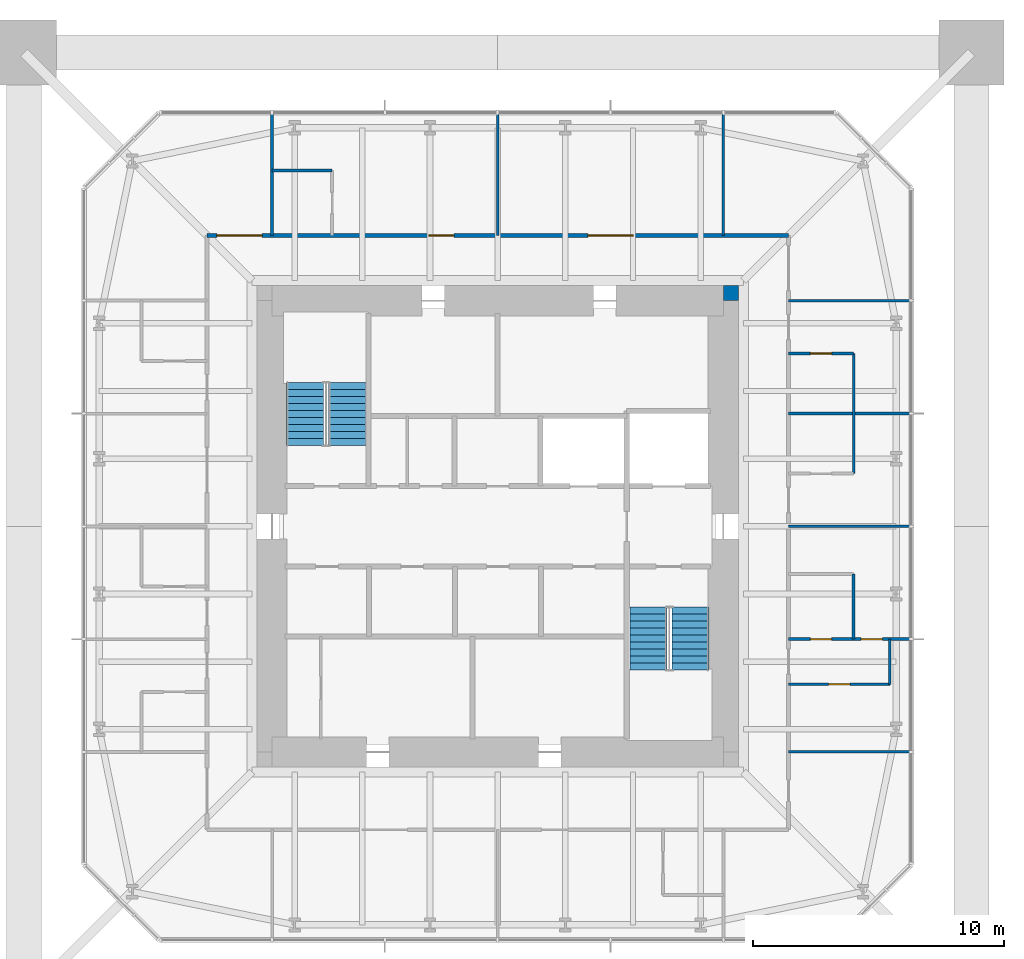
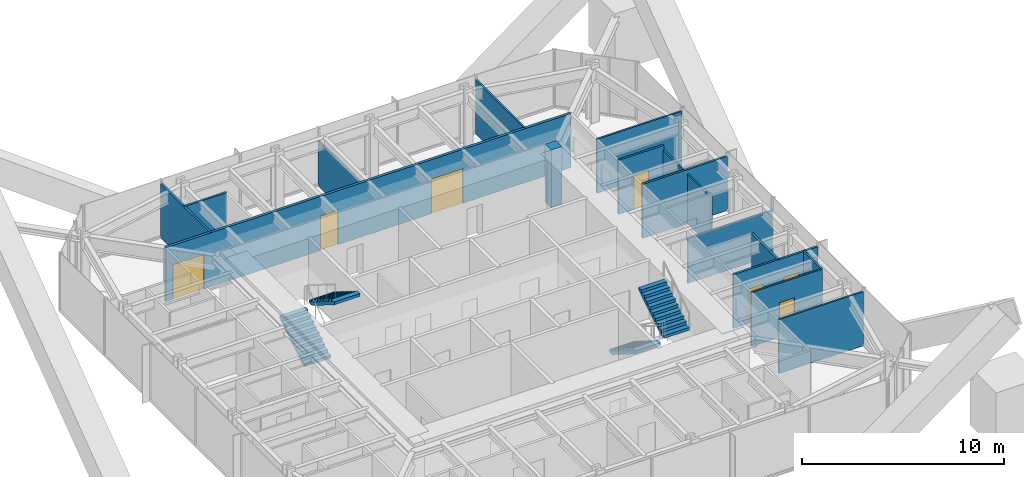
# One storey, part 9 of 10: 16 walls, 7 doors, 4 stair flights, 7 openings, 2 elements without a shape of their own.
"""IFC4 building model written with IfcOpenShell, lengths in metres."""

import ifcopenshell
import ifcopenshell.guid

model = None  # the IFC model being written
_history = None  # IfcOwnerHistory: only IFC2X3 demands one
_inside = {}  # id of a spatial element -> (the spatial element, [elements in it])
_under = {}  # id of a project, library or spatial element -> (it, [spatial elements below it])
_declared = {}  # id of a project -> (the project, [libraries it declares])
_typed = {}  # id of a type object -> (the type object, [elements of that type])
_made_of = {}  # id of a material, layer set ... -> (it, [elements and type objects made of it])


def new_model(schema):
    """Start an empty IFC model of exactly this schema.

    Asked for "IFC4X3", IfcOpenShell would pick the latest addendum, in which some entities
    have other attributes; the version numbers below select the first issue.
    IFC2X3 requires an IfcOwnerHistory on every rooted entity: one is made here for all.
    """
    global model, _history
    if schema == "IFC4X3":
        model = ifcopenshell.file(schema_version=(4, 3, 0, 0))
    else:
        model = ifcopenshell.file(schema=schema)
    _inside.clear()
    _under.clear()
    _declared.clear()
    _typed.clear()
    _made_of.clear()
    _history = None
    if model.schema == "IFC2X3":
        org = make("IfcOrganization", Name="unknown")
        user = make(
            "IfcPersonAndOrganization",
            ThePerson=make("IfcPerson", FamilyName="unknown"),
            TheOrganization=org,
        )
        app = make(
            "IfcApplication",
            ApplicationDeveloper=org,
            Version="unknown",
            ApplicationFullName="unknown",
            ApplicationIdentifier="unknown",
        )
        _history = make(
            "IfcOwnerHistory",
            OwningUser=user,
            OwningApplication=app,
            ChangeAction="ADDED",
            CreationDate=0,
        )
    return model


def make(cls, **values):
    """One entity of the class cls with the attributes given. An attribute that is None is left unset."""
    return model.create_entity(
        cls, **{name: value for name, value in values.items() if value is not None}
    )


def rooted(cls, **values):
    """An entity with a GlobalId (a new one), such as an element, a storey or a relation."""
    return make(cls, GlobalId=ifcopenshell.guid.new(), OwnerHistory=_history, **values)


def si_unit(unit_type, name, prefix=None):
    """IfcSIUnit, for example si_unit("LENGTHUNIT", "METRE", prefix="MILLI")."""
    return make("IfcSIUnit", UnitType=unit_type, Prefix=prefix, Name=name)


def assignment(units):
    """IfcUnitAssignment: the units of a project."""
    return None if units is None else make("IfcUnitAssignment", Units=units)


def point(xyz):
    """IfcCartesianPoint."""
    return None if xyz is None else make("IfcCartesianPoint", Coordinates=xyz)


def direction(xyz):
    """IfcDirection."""
    return None if xyz is None else make("IfcDirection", DirectionRatios=xyz)


def frame(location, z_axis=None, x_axis=None):
    """IfcAxis2Placement3D, a coordinate frame: its origin and axes. An axis left out is left unset."""
    return make(
        "IfcAxis2Placement3D",
        Location=point(location),
        Axis=direction(z_axis),
        RefDirection=direction(x_axis),
    )


def frame_2d(location, x_axis=None):
    """IfcAxis2Placement2D, a coordinate frame in the plane: its origin and x axis."""
    return make(
        "IfcAxis2Placement2D", Location=point(location), RefDirection=direction(x_axis)
    )


def origin():
    """The frame at (0, 0, 0) with its axes left unset."""
    return frame((0.0, 0.0, 0.0))


def place(relative_to, where):
    """IfcLocalPlacement: puts the frame where relative to a parent placement (None: the world)."""
    return make(
        "IfcLocalPlacement", PlacementRelTo=relative_to, RelativePlacement=where
    )


def context(
    kind, dimensions, precision=None, world=None, true_north=None, identifier=None
):
    """IfcGeometricRepresentationContext, for example the 3D "Model" context."""
    return make(
        "IfcGeometricRepresentationContext",
        ContextIdentifier=identifier,
        ContextType=kind,
        CoordinateSpaceDimension=dimensions,
        Precision=precision,
        WorldCoordinateSystem=world,
        TrueNorth=true_north,
    )


def subcontext(parent, identifier, kind, view, scale=None):
    """IfcGeometricRepresentationSubContext, for example "Body" below "Model"."""
    return make(
        "IfcGeometricRepresentationSubContext",
        ContextIdentifier=identifier,
        ContextType=kind,
        ParentContext=parent,
        TargetScale=scale,
        TargetView=view,
    )


def project(units=None, contexts=None):
    """IfcProject with its units and contexts."""
    return rooted(
        "IfcProject",
        Name="project",
        RepresentationContexts=contexts,
        UnitsInContext=assignment(units),
    )


def spatial(cls, under=None, at=None, **own):
    """A site, building, storey or space (cls), placed at a placement, below another one or the project."""
    s = rooted(cls, ObjectPlacement=at, **own)
    if under is not None:
        _under.setdefault(under.id(), (under, []))[1].append(s)
    return s


def polyline(points):
    """IfcPolyline through the points."""
    return make("IfcPolyline", Points=[point(p) for p in points])


def profile(cls, at=None, kind="AREA", **sizes):
    """A parametric profile (cls). Its sizes go by their IFC names, for example OverallWidth=200.0."""
    return make(cls, ProfileType=kind, Position=at, **sizes)


def rectangle(**sizes):
    """IfcRectangleProfileDef."""
    return profile("IfcRectangleProfileDef", **sizes)


def outline(outer, holes=None, kind="AREA"):
    """IfcArbitraryClosedProfileDef: a profile drawn as a closed curve; with holes, ...WithVoids."""
    if holes is None:
        return make("IfcArbitraryClosedProfileDef", ProfileType=kind, OuterCurve=outer)
    return make(
        "IfcArbitraryProfileDefWithVoids",
        ProfileType=kind,
        OuterCurve=outer,
        InnerCurves=holes,
    )


def extrude(swept, where, along, depth):
    """IfcExtrudedAreaSolid: the profile swept, set in the frame where, extruded along a direction by depth."""
    return make(
        "IfcExtrudedAreaSolid",
        SweptArea=swept,
        Position=where,
        ExtrudedDirection=direction(along),
        Depth=depth,
    )


def shape(context_of_items, identifier, shape_type, items):
    """IfcShapeRepresentation: the items that make up one representation, for example the "Body"."""
    return make(
        "IfcShapeRepresentation",
        ContextOfItems=context_of_items,
        RepresentationIdentifier=identifier,
        RepresentationType=shape_type,
        Items=items,
    )


def material(Name=None, Category=None):
    """IfcMaterial."""
    return make("IfcMaterial", Name=Name, Category=Category)


def layer(
    of_material, thickness, ventilated=None, Name=None, Category=None, Priority=None
):
    """IfcMaterialLayer: one layer of a wall or slab, of a material (None: an air gap)."""
    return make(
        "IfcMaterialLayer",
        Material=of_material,
        LayerThickness=thickness,
        IsVentilated=ventilated,
        Name=Name,
        Category=Category,
        Priority=Priority,
    )


def layer_set(layers, Name=None):
    """IfcMaterialLayerSet."""
    return make("IfcMaterialLayerSet", MaterialLayers=layers, LayerSetName=Name)


def constituent(of_material, Name=None, Category=None, fraction=None):
    """IfcMaterialConstituent: one of the materials an element consists of."""
    return make(
        "IfcMaterialConstituent",
        Name=Name,
        Material=of_material,
        Fraction=fraction,
        Category=Category,
    )


def constituent_set(constituents=None, Name=None):
    """IfcMaterialConstituentSet."""
    return make(
        "IfcMaterialConstituentSet", Name=Name, MaterialConstituents=constituents
    )


def made_of(thing, what):
    """Note that an element or type object is made of a material, layer set ...; save() writes the relation."""
    if what is not None:
        _made_of.setdefault(what.id(), (what, []))[1].append(thing)
    return thing


def type_object(cls, material=None, **own):
    """A type object (cls), such as IfcWallType, which elements share."""
    return made_of(rooted(cls, **own), material)


def element(
    cls,
    number,
    at=None,
    inside=None,
    cuts=None,
    type_object=None,
    material=None,
    context=None,
    identifier="Body",
    shape_type=None,
    held_by="IfcProductDefinitionShape",
    body=None,
    shapes=None,
    **own,
):
    """One element of the class cls, such as IfcWall. Its Tag is "e" and its number.

    at: its placement. inside: the storey or other place that contains it. cuts: it is an
    opening in that element (IfcRelVoidsElement). A single representation is given by context,
    identifier, shape_type and body (its items); several are given by shapes. held_by: the class
    of the entity that holds the representations. save() writes the other relations.
    """
    e = rooted(cls, Tag="e%d" % number, ObjectPlacement=at, **own)
    if body is not None:
        shapes = [shape(context, identifier, shape_type, body)]
    if shapes is not None:
        e.Representation = make(held_by, Representations=shapes)
    if inside is not None:
        _inside.setdefault(inside.id(), (inside, []))[1].append(e)
    if cuts is not None:
        rooted(
            "IfcRelVoidsElement", RelatingBuildingElement=cuts, RelatedOpeningElement=e
        )
    if type_object is not None:
        _typed.setdefault(type_object.id(), (type_object, []))[1].append(e)
    return made_of(e, material)


def fill(opening, filler):
    """IfcRelFillsElement: the door or window that sits in an opening."""
    return rooted(
        "IfcRelFillsElement",
        RelatingOpeningElement=opening,
        RelatedBuildingElement=filler,
    )


def aggregate(whole, parts):
    """IfcRelAggregates: a whole, such as a stair, and the parts it consists of."""
    return rooted("IfcRelAggregates", RelatingObject=whole, RelatedObjects=parts)


def save(model, path):
    """Write the relations noted so far, then the file.

    IfcRelAggregates (storeys below a building ...), IfcRelContainedInSpatialStructure (elements
    in a storey), IfcRelDefinesByType, IfcRelAssociatesMaterial and IfcRelDeclares: one each for
    every whole, place, type object, material and project.
    """
    for whole, parts in _under.values():
        aggregate(whole, parts)
    for where, things in _inside.values():
        rooted(
            "IfcRelContainedInSpatialStructure",
            RelatedElements=things,
            RelatingStructure=where,
        )
    for kind, things in _typed.values():
        rooted("IfcRelDefinesByType", RelatedObjects=things, RelatingType=kind)
    for what, things in _made_of.values():
        rooted("IfcRelAssociatesMaterial", RelatedObjects=things, RelatingMaterial=what)
    for by, libraries in _declared.values():
        rooted("IfcRelDeclares", RelatingContext=by, RelatedDefinitions=libraries)
    model.write(path)


model = new_model("IFC4")

# Units and contexts
model_context = context("Model", 3, precision=1e-05, world=origin(), true_north=direction((0.0, 1.0)))
body_context = subcontext(model_context, "Body", "Model", "MODEL_VIEW")
ifc_project = project(units=[si_unit("LENGTHUNIT", "METRE"), si_unit("AREAUNIT", "SQUARE_METRE"), si_unit("VOLUMEUNIT", "CUBIC_METRE"), si_unit("PLANEANGLEUNIT", "RADIAN"), si_unit("MASSUNIT", "GRAM", prefix="KILO")], contexts=[model_context])

# Site, building, storey
site_placement = place(None, origin())
site = spatial("IfcSite", under=ifc_project, at=site_placement, CompositionType="ELEMENT")
building_placement = place(site_placement, origin())
building = spatial("IfcBuilding", under=site, at=building_placement, Name="Iwan Alto Co-Living Towers", CompositionType="ELEMENT")
storey_placement = place(building_placement, frame((0.0, 0.0, 260.5)))
storey = spatial("IfcBuildingStorey", under=building, at=storey_placement, Name="L71", CompositionType="ELEMENT", Elevation=260.5)

# Wall, openings, doors
ifc_material_1 = material(Name="Gypsum board")
ifc_layer_1 = layer(ifc_material_1, 0.02490234375, Name="Board", Category="Finish")
ifc_material_2 = material(Name="Steel ASTM A1003 ST33H cold-formed studs", Category="steel")
ifc_layer_2 = layer(ifc_material_2, 0.10009765625, Name="Studs", Category="Framing")
ifc_layer_3 = layer(ifc_material_1, 0.02490234375, Name="Board", Category="Finish")
ifc_layer_set_1 = layer_set([ifc_layer_1, ifc_layer_2, ifc_layer_3], Name="CORRIDOR WALL 150")
wall_type_1 = type_object("IfcWallType", Name="CORRIDOR WALL 150", PredefinedType="PARTITIONING", material=ifc_layer_set_1)
wall_1_placement = place(storey_placement, frame((-11.60009765625, 11.60009765625, 0.0), z_axis=(0.0, 0.0, 1.0), x_axis=(1.0, 0.0, 0.0)))
wall_1 = element("IfcWall", 1, at=wall_1_placement, inside=storey, type_object=wall_type_1, Name="Partition L71", PredefinedType="PARTITIONING", context=body_context, shape_type="SweptSolid", body=[
    extrude(rectangle(XDim=23.2001953125, YDim=0.14990234375, at=frame_2d((11.60009765625, 0.0))), origin(), (0.0, 0.0, 1.0), 3.27001953125),
])
opening_1_placement = place(wall_1_placement, frame((15.199951171875, 0.0, 0.0)))
opening_1 = element("IfcOpeningElement", 2, at=opening_1_placement, cuts=wall_1, Name="Opening D9", PredefinedType="OPENING", context=body_context, shape_type="SweptSolid", body=[
    extrude(rectangle(XDim=1.800048828125, YDim=2.10009765625, at=frame_2d((0.89990234375, 1.050048828125))), frame((0.0, 0.0849609375, 0.0), z_axis=(0.0, -1.0, 0.0), x_axis=(1.0, 0.0, 0.0)), (0.0, 0.0, 1.0), 0.169921875),
])
opening_2_placement = place(wall_1_placement, frame((8.85009765625, 0.0, 0.0)))
opening_2 = element("IfcOpeningElement", 3, at=opening_2_placement, cuts=wall_1, Name="Opening D3", PredefinedType="OPENING", context=body_context, shape_type="SweptSolid", body=[
    extrude(rectangle(XDim=1.0, YDim=2.10009765625, at=frame_2d((0.5, 1.050048828125))), frame((0.0, 0.0849609375, 0.0), z_axis=(0.0, -1.0, 0.0), x_axis=(1.0, 0.0, 0.0)), (0.0, 0.0, 1.0), 0.169921875),
])
opening_3_placement = place(wall_1_placement, frame((0.39990234375, 0.0, 0.0)))
opening_3 = element("IfcOpeningElement", 4, at=opening_3_placement, cuts=wall_1, Name="Opening D9", PredefinedType="OPENING", context=body_context, shape_type="SweptSolid", body=[
    extrude(rectangle(XDim=1.800048828125, YDim=2.10009765625, at=frame_2d((0.89990234375, 1.050048828125))), frame((0.0, 0.0849609375, 0.0), z_axis=(0.0, -1.0, 0.0), x_axis=(1.0, 0.0, 0.0)), (0.0, 0.0, 1.0), 0.169921875),
])
ifc_material_3 = material(Name="Steel frame with timber leaf", Category="steel")
door_type_1 = type_object("IfcDoorType", Name="FLAT ENTRANCE DOOR FD30S 1000X2100", OperationType="SINGLE_SWING_LEFT", PredefinedType="DOOR", material=ifc_material_3)
door_1_placement = place(opening_2_placement, origin())
door_1 = element("IfcDoor", 5, at=door_1_placement, inside=storey, type_object=door_type_1, Name="Studio door L71", OperationType="SINGLE_SWING_RIGHT", OverallHeight=2.10009765625, OverallWidth=1.0, PredefinedType="DOOR", context=body_context, shape_type="SweptSolid", body=[
    extrude(rectangle(XDim=1.0, YDim=2.10009765625, at=frame_2d((0.5, 1.050048828125))), frame((0.0, 0.02490234375, 0.0), z_axis=(0.0, -1.0, 0.0), x_axis=(1.0, 0.0, 0.0)), (0.0, 0.0, 1.0), 0.050048828125),
])
fill(opening_2, door_1)
ifc_material_4 = material(Name="Steel frame with timber leaf", Category="steel")
door_type_2 = type_object("IfcDoorType", Name="LOUNGE DOOR FD30S 1800X2100", OperationType="DOUBLE_DOOR_SINGLE_SWING", PredefinedType="DOOR", material=ifc_material_4)
door_2_placement = place(opening_1_placement, origin())
door_2 = element("IfcDoor", 6, at=door_2_placement, inside=storey, type_object=door_type_2, Name="Club library door L71", OperationType="DOUBLE_DOOR_SINGLE_SWING", OverallHeight=2.10009765625, OverallWidth=1.800048828125, PredefinedType="DOOR", context=body_context, shape_type="SweptSolid", body=[
    extrude(rectangle(XDim=1.800048828125, YDim=2.10009765625, at=frame_2d((0.89990234375, 1.050048828125))), frame((0.0, 0.02490234375, 0.0), z_axis=(0.0, -1.0, 0.0), x_axis=(1.0, 0.0, 0.0)), (0.0, 0.0, 1.0), 0.050048828125),
])
fill(opening_1, door_2)
door_3_placement = place(opening_3_placement, origin())
door_3 = element("IfcDoor", 7, at=door_3_placement, inside=storey, type_object=door_type_2, Name="Courtyard lounge door L71", OperationType="DOUBLE_DOOR_SINGLE_SWING", OverallHeight=2.10009765625, OverallWidth=1.800048828125, PredefinedType="DOOR", context=body_context, shape_type="SweptSolid", body=[
    extrude(rectangle(XDim=1.800048828125, YDim=2.10009765625, at=frame_2d((0.89990234375, 1.050048828125))), frame((0.0, 0.02490234375, 0.0), z_axis=(0.0, -1.0, 0.0), x_axis=(1.0, 0.0, 0.0)), (0.0, 0.0, 1.0), 0.050048828125),
])
fill(opening_3, door_3)

# Wall
ifc_layer_4 = layer(ifc_material_1, 0.012451171875, Name="Board", Category="Finish")
ifc_layer_5 = layer(ifc_material_2, 0.074951171875, Name="Studs", Category="Framing")
ifc_layer_6 = layer(ifc_material_1, 0.012451171875, Name="Board", Category="Finish")
ifc_layer_set_2 = layer_set([ifc_layer_4, ifc_layer_5, ifc_layer_6], Name="PARTITION 100")
wall_type_2 = type_object("IfcWallType", Name="PARTITION 100", PredefinedType="PARTITIONING", material=ifc_layer_set_2)
wall_2_placement = place(storey_placement, frame((11.60009765625, -9.0, 0.0), z_axis=(0.0, 0.0, 1.0), x_axis=(1.0, 0.0, 0.0)))
element("IfcWall", 8, at=wall_2_placement, inside=storey, type_object=wall_type_2, Name="Partition L71", PredefinedType="PARTITIONING", context=body_context, shape_type="SweptSolid", body=[
    extrude(rectangle(XDim=4.83984375, YDim=0.10009765625, at=frame_2d((2.419921875, 0.0))), origin(), (0.0, 0.0, 1.0), 3.27001953125),
])

# Wall, opening, door
wall_3_placement = place(storey_placement, frame((11.60009765625, -6.300048828125, 0.0), z_axis=(0.0, 0.0, 1.0), x_axis=(1.0, 0.0, 0.0)))
wall_3 = element("IfcWall", 9, at=wall_3_placement, inside=storey, type_object=wall_type_2, Name="Partition L71", PredefinedType="PARTITIONING", context=body_context, shape_type="SweptSolid", body=[
    extrude(rectangle(XDim=4.0498046875, YDim=0.10009765625, at=frame_2d((2.02490234375, 0.0))), origin(), (0.0, 0.0, 1.0), 3.27001953125),
])
opening_4_placement = place(wall_3_placement, frame((1.60009765625, 0.0, 0.0)))
opening_4 = element("IfcOpeningElement", 10, at=opening_4_placement, cuts=wall_3, Name="Opening D2", PredefinedType="OPENING", context=body_context, shape_type="SweptSolid", body=[
    extrude(rectangle(XDim=0.85009765625, YDim=2.10009765625, at=frame_2d((0.425048828125, 1.050048828125))), frame((0.0, 0.06005859375, 0.0), z_axis=(0.0, -1.0, 0.0), x_axis=(1.0, 0.0, 0.0)), (0.0, 0.0, 1.0), 0.1201171875),
])
ifc_material_5 = material(Name="Timber leaf in steel frame", Category="steel")
door_type_3 = type_object("IfcDoorType", Name="ROOM DOOR 850X2100", OperationType="SINGLE_SWING_LEFT", PredefinedType="DOOR", material=ifc_material_5)
door_4_placement = place(opening_4_placement, frame((0.85009765625, 0.0, 0.0), z_axis=(0.0, 0.0, 1.0), x_axis=(-1.0, 0.0, 0.0)))
door_4 = element("IfcDoor", 11, at=door_4_placement, inside=storey, type_object=door_type_3, Name="Apartment foyer door L71", OperationType="SINGLE_SWING_RIGHT", OverallHeight=2.10009765625, OverallWidth=0.85009765625, PredefinedType="DOOR", context=body_context, shape_type="SweptSolid", body=[
    extrude(rectangle(XDim=0.85009765625, YDim=2.10009765625, at=frame_2d((0.425048828125, 1.050048828125))), frame((0.0, 0.02490234375, 0.0), z_axis=(0.0, -1.0, 0.0), x_axis=(1.0, 0.0, 0.0)), (0.0, 0.0, 1.0), 0.050048828125),
])
fill(opening_4, door_4)

# Walls
wall_4_placement = place(storey_placement, frame((11.60009765625, 0.0, 0.0), z_axis=(0.0, 0.0, 1.0), x_axis=(1.0, 0.0, 0.0)))
element("IfcWall", 12, at=wall_4_placement, inside=storey, type_object=wall_type_2, Name="Partition L71", PredefinedType="PARTITIONING", context=body_context, shape_type="SweptSolid", body=[
    extrude(rectangle(XDim=4.83984375, YDim=0.10009765625, at=frame_2d((2.419921875, 0.0))), origin(), (0.0, 0.0, 1.0), 2.736572265625),
])
wall_5_placement = place(storey_placement, frame((11.60009765625, 9.0, 0.0), z_axis=(0.0, 0.0, 1.0), x_axis=(1.0, 0.0, 0.0)))
element("IfcWall", 13, at=wall_5_placement, inside=storey, type_object=wall_type_2, Name="Partition L71", PredefinedType="PARTITIONING", context=body_context, shape_type="SweptSolid", body=[
    extrude(rectangle(XDim=4.83984375, YDim=0.10009765625, at=frame_2d((2.419921875, 0.0))), origin(), (0.0, 0.0, 1.0), 3.27001953125),
])
wall_6_placement = place(storey_placement, frame((15.64990234375, -6.300048828125, 0.0), z_axis=(0.0, 0.0, 1.0), x_axis=(0.0, 1.0, 0.0)))
element("IfcWall", 14, at=wall_6_placement, inside=storey, type_object=wall_type_2, Name="Partition L71", PredefinedType="PARTITIONING", context=body_context, shape_type="SweptSolid", body=[
    extrude(rectangle(XDim=1.800048828125, YDim=0.10009765625, at=frame_2d((0.89990234375, 0.0))), origin(), (0.0, 0.0, 1.0), 3.27001953125),
])
wall_7_placement = place(storey_placement, frame((14.199951171875, 2.10009765625, 0.0), z_axis=(0.0, 0.0, 1.0), x_axis=(0.0, 1.0, 0.0)))
element("IfcWall", 15, at=wall_7_placement, inside=storey, type_object=wall_type_2, Name="Partition L71", PredefinedType="PARTITIONING", context=body_context, shape_type="SweptSolid", body=[
    extrude(rectangle(XDim=4.7998046875, YDim=0.10009765625, at=frame_2d((2.39990234375, 0.0))), origin(), (0.0, 0.0, 1.0), 3.0),
])
wall_8_placement = place(storey_placement, frame((9.0, 11.60009765625, 0.0), z_axis=(0.0, 0.0, 1.0), x_axis=(0.0, 1.0, 0.0)))
element("IfcWall", 16, at=wall_8_placement, inside=storey, type_object=wall_type_2, Name="Partition L71", PredefinedType="PARTITIONING", context=body_context, shape_type="SweptSolid", body=[
    extrude(rectangle(XDim=4.83984375, YDim=0.10009765625, at=frame_2d((2.419921875, 0.0))), origin(), (0.0, 0.0, 1.0), 3.27001953125),
])
wall_9_placement = place(storey_placement, frame((0.0, 11.60009765625, 0.0), z_axis=(0.0, 0.0, 1.0), x_axis=(0.0, 1.0, 0.0)))
element("IfcWall", 17, at=wall_9_placement, inside=storey, type_object=wall_type_2, Name="Partition L71", PredefinedType="PARTITIONING", context=body_context, shape_type="SweptSolid", body=[
    extrude(rectangle(XDim=4.83984375, YDim=0.10009765625, at=frame_2d((2.419921875, 0.0))), origin(), (0.0, 0.0, 1.0), 2.736572265625),
])
ifc_material_6 = material(Name="Concrete f'c 70 MPa", Category="concrete")
ifc_layer_7 = layer(ifc_material_6, 0.60009765625)
ifc_layer_set_3 = layer_set([ifc_layer_7], Name="T1 CORE CORNER FILL 600")
wall_type_3 = type_object("IfcWallType", Name="T1 CORE CORNER FILL 600", PredefinedType="SOLIDWALL", material=ifc_layer_set_3)
wall_10_placement = place(storey_placement, frame((9.0, 9.300048828125, 0.0), z_axis=(0.0, 0.0, 1.0), x_axis=(1.0, 0.0, 0.0)))
element("IfcWall", 18, at=wall_10_placement, inside=storey, type_object=wall_type_3, Name="T1 core corner NE L71", PredefinedType="SOLIDWALL", context=body_context, shape_type="SweptSolid", body=[
    extrude(rectangle(XDim=0.60009765625, YDim=0.60009765625, at=frame_2d((0.300048828125, 0.0))), origin(), (0.0, 0.0, 1.0), 3.5),
])

# Wall, openings, doors
ifc_material_7 = material(Name="Cement board")
ifc_layer_8 = layer(ifc_material_7, 0.012451171875, Name="Board", Category="Finish")
ifc_layer_9 = layer(ifc_material_2, 0.094970703125, Name="Studs", Category="Framing")
ifc_layer_10 = layer(ifc_material_7, 0.012451171875, Name="Board", Category="Finish")
ifc_layer_set_4 = layer_set([ifc_layer_8, ifc_layer_9, ifc_layer_10], Name="WET AREA PARTITION 120")
wall_type_4 = type_object("IfcWallType", Name="WET AREA PARTITION 120", PredefinedType="PARTITIONING", material=ifc_layer_set_4)
wall_11_placement = place(storey_placement, frame((11.60009765625, -4.5, 0.0), z_axis=(0.0, 0.0, 1.0), x_axis=(1.0, 0.0, 0.0)))
wall_11 = element("IfcWall", 19, at=wall_11_placement, inside=storey, type_object=wall_type_4, Name="Partition L71", PredefinedType="PARTITIONING", context=body_context, shape_type="SweptSolid", body=[
    extrude(rectangle(XDim=4.83984375, YDim=0.1201171875, at=frame_2d((2.419921875, 0.0))), origin(), (0.0, 0.0, 1.0), 3.27001953125),
])
opening_5_placement = place(wall_11_placement, frame((2.89990234375, 0.0, 0.0)))
opening_5 = element("IfcOpeningElement", 20, at=opening_5_placement, cuts=wall_11, Name="Opening D2", PredefinedType="OPENING", context=body_context, shape_type="SweptSolid", body=[
    extrude(rectangle(XDim=0.85009765625, YDim=2.10009765625, at=frame_2d((0.425048828125, 1.050048828125))), frame((0.0, 0.070068359375, 0.0), z_axis=(0.0, -1.0, 0.0), x_axis=(1.0, 0.0, 0.0)), (0.0, 0.0, 1.0), 0.14013671875),
])
opening_6_placement = place(wall_11_placement, frame((0.875, 0.0, 0.0)))
opening_6 = element("IfcOpeningElement", 21, at=opening_6_placement, cuts=wall_11, Name="Opening D2", PredefinedType="OPENING", context=body_context, shape_type="SweptSolid", body=[
    extrude(rectangle(XDim=0.85009765625, YDim=2.10009765625, at=frame_2d((0.425048828125, 1.050048828125))), frame((0.0, 0.070068359375, 0.0), z_axis=(0.0, -1.0, 0.0), x_axis=(1.0, 0.0, 0.0)), (0.0, 0.0, 1.0), 0.14013671875),
])
door_5_placement = place(opening_5_placement, origin())
door_5 = element("IfcDoor", 22, at=door_5_placement, inside=storey, type_object=door_type_3, Name="Bedroom door L71", OperationType="SINGLE_SWING_LEFT", OverallHeight=2.10009765625, OverallWidth=0.85009765625, PredefinedType="DOOR", context=body_context, shape_type="SweptSolid", body=[
    extrude(rectangle(XDim=0.85009765625, YDim=2.10009765625, at=frame_2d((0.425048828125, 1.050048828125))), frame((0.0, 0.02490234375, 0.0), z_axis=(0.0, -1.0, 0.0), x_axis=(1.0, 0.0, 0.0)), (0.0, 0.0, 1.0), 0.050048828125),
])
fill(opening_5, door_5)
door_6_placement = place(opening_6_placement, origin())
door_6 = element("IfcDoor", 23, at=door_6_placement, inside=storey, type_object=door_type_3, Name="Accessible bathroom door L71", OperationType="SINGLE_SWING_LEFT", OverallHeight=2.10009765625, OverallWidth=0.85009765625, PredefinedType="DOOR", context=body_context, shape_type="SweptSolid", body=[
    extrude(rectangle(XDim=0.85009765625, YDim=2.10009765625, at=frame_2d((0.425048828125, 1.050048828125))), frame((0.0, 0.02490234375, 0.0), z_axis=(0.0, -1.0, 0.0), x_axis=(1.0, 0.0, 0.0)), (0.0, 0.0, 1.0), 0.050048828125),
])
fill(opening_6, door_6)

# Wall
wall_12_placement = place(storey_placement, frame((11.60009765625, 4.5, 0.0), z_axis=(0.0, 0.0, 1.0), x_axis=(1.0, 0.0, 0.0)))
element("IfcWall", 24, at=wall_12_placement, inside=storey, type_object=wall_type_4, Name="Partition L71", PredefinedType="PARTITIONING", context=body_context, shape_type="SweptSolid", body=[
    extrude(rectangle(XDim=4.83984375, YDim=0.1201171875, at=frame_2d((2.419921875, 0.0))), origin(), (0.0, 0.0, 1.0), 3.27001953125),
])

# Wall, opening, door
wall_13_placement = place(storey_placement, frame((11.60009765625, 6.89990234375, 0.0), z_axis=(0.0, 0.0, 1.0), x_axis=(1.0, 0.0, 0.0)))
wall_13 = element("IfcWall", 25, at=wall_13_placement, inside=storey, type_object=wall_type_4, Name="Partition L71", PredefinedType="PARTITIONING", context=body_context, shape_type="SweptSolid", body=[
    extrude(rectangle(XDim=2.599853515625, YDim=0.1201171875, at=frame_2d((1.2998046875, 0.0))), origin(), (0.0, 0.0, 1.0), 3.27001953125),
])
opening_7_placement = place(wall_13_placement, frame((0.875, 0.0, 0.0)))
opening_7 = element("IfcOpeningElement", 26, at=opening_7_placement, cuts=wall_13, Name="Opening D2", PredefinedType="OPENING", context=body_context, shape_type="SweptSolid", body=[
    extrude(rectangle(XDim=0.85009765625, YDim=2.10009765625, at=frame_2d((0.425048828125, 1.050048828125))), frame((0.0, 0.070068359375, 0.0), z_axis=(0.0, -1.0, 0.0), x_axis=(1.0, 0.0, 0.0)), (0.0, 0.0, 1.0), 0.14013671875),
])
door_7_placement = place(opening_7_placement, origin())
door_7 = element("IfcDoor", 27, at=door_7_placement, inside=storey, type_object=door_type_3, Name="En-suite shower room door L71", OperationType="SINGLE_SWING_LEFT", OverallHeight=2.10009765625, OverallWidth=0.85009765625, PredefinedType="DOOR", context=body_context, shape_type="SweptSolid", body=[
    extrude(rectangle(XDim=0.85009765625, YDim=2.10009765625, at=frame_2d((0.425048828125, 1.050048828125))), frame((0.0, 0.02490234375, 0.0), z_axis=(0.0, -1.0, 0.0), x_axis=(1.0, 0.0, 0.0)), (0.0, 0.0, 1.0), 0.050048828125),
])
fill(opening_7, door_7)

# Walls
wall_14_placement = place(storey_placement, frame((-9.0, 14.199951171875, 0.0), z_axis=(0.0, 0.0, 1.0), x_axis=(1.0, 0.0, 0.0)))
element("IfcWall", 28, at=wall_14_placement, inside=storey, type_object=wall_type_4, Name="Partition L71", PredefinedType="PARTITIONING", context=body_context, shape_type="SweptSolid", body=[
    extrude(rectangle(XDim=2.39990234375, YDim=0.1201171875, at=frame_2d((1.199951171875, 0.0))), origin(), (0.0, 0.0, 1.0), 3.27001953125),
])
wall_15_placement = place(storey_placement, frame((14.199951171875, -4.5, 0.0), z_axis=(0.0, 0.0, 1.0), x_axis=(0.0, 1.0, 0.0)))
element("IfcWall", 29, at=wall_15_placement, inside=storey, type_object=wall_type_4, Name="Partition L71", PredefinedType="PARTITIONING", context=body_context, shape_type="SweptSolid", body=[
    extrude(rectangle(XDim=2.60009765625, YDim=0.1201171875, at=frame_2d((1.300048828125, 0.0))), origin(), (0.0, 0.0, 1.0), 3.27001953125),
])
wall_16_placement = place(storey_placement, frame((-9.0, 11.60009765625, 0.0), z_axis=(0.0, 0.0, 1.0), x_axis=(0.0, 1.0, 0.0)))
element("IfcWall", 30, at=wall_16_placement, inside=storey, type_object=wall_type_4, Name="Partition L71", PredefinedType="PARTITIONING", context=body_context, shape_type="SweptSolid", body=[
    extrude(rectangle(XDim=4.83984375, YDim=0.1201171875, at=frame_2d((2.419921875, 0.0))), origin(), (0.0, 0.0, 1.0), 3.27001953125),
])

# Stair, stair flights
ifc_material_8 = material(Name="Steel ASTM A36", Category="steel")
ifc_constituent_1 = constituent(ifc_material_8, Name="Stringers", Category="LoadBearing")
ifc_material_9 = material(Name="Concrete f'c 30 MPa", Category="concrete")
ifc_constituent_2 = constituent(ifc_material_9, Name="Tread fill", Category="Finish")
ifc_constituent_set_1 = constituent_set(constituents=[ifc_constituent_1, ifc_constituent_2], Name="STAIR 3500 TWO-FLIGHT T1 CORE")
stair_type = type_object("IfcStairType", Name="STAIR 3500 TWO-FLIGHT T1 CORE", PredefinedType="HALF_TURN_STAIR", material=ifc_constituent_set_1)
stair_1_placement = place(storey_placement, origin())
stair_1 = element("IfcStair", 31, at=stair_1_placement, inside=storey, type_object=stair_type, Name="Stair T1-S1 L71 to L72", PredefinedType="HALF_TURN_STAIR")
ifc_constituent_3 = constituent(ifc_material_8, Name="Stringers", Category="LoadBearing")
ifc_constituent_4 = constituent(ifc_material_9, Name="Tread fill", Category="Finish")
ifc_constituent_set_2 = constituent_set(constituents=[ifc_constituent_3, ifc_constituent_4], Name="STAIR FLIGHT 10 RISERS 280 GOING")
stair_flight_type = type_object("IfcStairFlightType", Name="STAIR FLIGHT 10 RISERS 280 GOING", PredefinedType="STRAIGHT", material=ifc_constituent_set_2)
stair_flight_1_placement = place(storey_placement, frame((-7.68994140625, 3.219970703125, 0.0), z_axis=(0.0, 0.0, 1.0), x_axis=(0.0, 1.0, 0.0)))
stair_flight_1 = element("IfcStairFlight", 32, at=stair_flight_1_placement, type_object=stair_flight_type, Name="T1-S1 flight 1", NumberOfRisers=10, NumberOfTreads=9, PredefinedType="STRAIGHT", RiserHeight=0.175, TreadLength=0.28, context=body_context, shape_type="SweptSolid", body=[
    extrude(outline(polyline([(0.0, 0.0), (0.0, 0.175048828125), (0.280029296875, 0.175048828125), (0.280029296875, 0.35009765625), (0.56005859375, 0.35009765625), (0.56005859375, 0.52490234375), (0.840087890625, 0.52490234375), (0.840087890625, 0.699951171875), (1.1201171875, 0.699951171875), (1.1201171875, 0.875), (1.39990234375, 0.875), (1.39990234375, 1.050048828125), (1.679931640625, 1.050048828125), (1.679931640625, 1.22509765625), (1.9599609375, 1.22509765625), (1.9599609375, 1.39990234375), (2.239990234375, 1.39990234375), (2.239990234375, 1.574951171875), (2.52001953125, 1.574951171875), (2.52001953125, 1.75), (2.52001953125, 1.398193359375), (0.28271484375, 0.0), (0.0, 0.0)])), frame((0.0, 0.739990234375, 0.0), z_axis=(0.0, -1.0, 0.0), x_axis=(1.0, 0.0, 0.0)), (0.0, 0.0, 1.0), 1.47998046875),
])
stair_flight_2_placement = place(storey_placement, frame((-6.010009765625, 5.739990234375, 1.75), z_axis=(0.0, 0.0, 1.0), x_axis=(0.0, -1.0, 0.0)))
stair_flight_2 = element("IfcStairFlight", 33, at=stair_flight_2_placement, type_object=stair_flight_type, Name="T1-S1 flight 2", NumberOfRisers=10, NumberOfTreads=9, PredefinedType="STRAIGHT", RiserHeight=0.175, TreadLength=0.28, context=body_context, shape_type="SweptSolid", body=[
    extrude(outline(polyline([(0.0, 0.0), (0.0, 0.175048828125), (0.280029296875, 0.175048828125), (0.280029296875, 0.35009765625), (0.56005859375, 0.35009765625), (0.56005859375, 0.52490234375), (0.840087890625, 0.52490234375), (0.840087890625, 0.699951171875), (1.1201171875, 0.699951171875), (1.1201171875, 0.875), (1.39990234375, 0.875), (1.39990234375, 1.050048828125), (1.679931640625, 1.050048828125), (1.679931640625, 1.22509765625), (1.9599609375, 1.22509765625), (1.9599609375, 1.39990234375), (2.239990234375, 1.39990234375), (2.239990234375, 1.574951171875), (2.52001953125, 1.574951171875), (2.52001953125, 1.75), (2.52001953125, 1.398193359375), (0.28271484375, 0.0), (0.0, 0.0)])), frame((0.0, 0.739990234375, 0.0), z_axis=(0.0, -1.0, 0.0), x_axis=(1.0, 0.0, 0.0)), (0.0, 0.0, 1.0), 1.47998046875),
])
aggregate(stair_1, [stair_flight_1, stair_flight_2])

stair_2_placement = place(storey_placement, origin())
stair_2 = element("IfcStair", 34, at=stair_2_placement, inside=storey, type_object=stair_type, Name="Stair T1-S2 L71 to L72", PredefinedType="HALF_TURN_STAIR")
stair_flight_3_placement = place(storey_placement, frame((6.010009765625, -3.219970703125, 0.0), z_axis=(0.0, 0.0, 1.0), x_axis=(0.0, -1.0, 0.0)))
stair_flight_3 = element("IfcStairFlight", 35, at=stair_flight_3_placement, type_object=stair_flight_type, Name="T1-S2 flight 1", NumberOfRisers=10, NumberOfTreads=9, PredefinedType="STRAIGHT", RiserHeight=0.175, TreadLength=0.28, context=body_context, shape_type="SweptSolid", body=[
    extrude(outline(polyline([(0.0, 0.0), (0.0, 0.175048828125), (0.280029296875, 0.175048828125), (0.280029296875, 0.35009765625), (0.56005859375, 0.35009765625), (0.56005859375, 0.52490234375), (0.840087890625, 0.52490234375), (0.840087890625, 0.699951171875), (1.1201171875, 0.699951171875), (1.1201171875, 0.875), (1.39990234375, 0.875), (1.39990234375, 1.050048828125), (1.679931640625, 1.050048828125), (1.679931640625, 1.22509765625), (1.9599609375, 1.22509765625), (1.9599609375, 1.39990234375), (2.239990234375, 1.39990234375), (2.239990234375, 1.574951171875), (2.52001953125, 1.574951171875), (2.52001953125, 1.75), (2.52001953125, 1.398193359375), (0.28271484375, 0.0), (0.0, 0.0)])), frame((0.0, 0.739990234375, 0.0), z_axis=(0.0, -1.0, 0.0), x_axis=(1.0, 0.0, 0.0)), (0.0, 0.0, 1.0), 1.47998046875),
])
stair_flight_4_placement = place(storey_placement, frame((7.68994140625, -5.739990234375, 1.75), z_axis=(0.0, 0.0, 1.0), x_axis=(0.0, 1.0, 0.0)))
stair_flight_4 = element("IfcStairFlight", 36, at=stair_flight_4_placement, type_object=stair_flight_type, Name="T1-S2 flight 2", NumberOfRisers=10, NumberOfTreads=9, PredefinedType="STRAIGHT", RiserHeight=0.175, TreadLength=0.28, context=body_context, shape_type="SweptSolid", body=[
    extrude(outline(polyline([(0.0, 0.0), (0.0, 0.175048828125), (0.280029296875, 0.175048828125), (0.280029296875, 0.35009765625), (0.56005859375, 0.35009765625), (0.56005859375, 0.52490234375), (0.840087890625, 0.52490234375), (0.840087890625, 0.699951171875), (1.1201171875, 0.699951171875), (1.1201171875, 0.875), (1.39990234375, 0.875), (1.39990234375, 1.050048828125), (1.679931640625, 1.050048828125), (1.679931640625, 1.22509765625), (1.9599609375, 1.22509765625), (1.9599609375, 1.39990234375), (2.239990234375, 1.39990234375), (2.239990234375, 1.574951171875), (2.52001953125, 1.574951171875), (2.52001953125, 1.75), (2.52001953125, 1.398193359375), (0.28271484375, 0.0), (0.0, 0.0)])), frame((0.0, 0.739990234375, 0.0), z_axis=(0.0, -1.0, 0.0), x_axis=(1.0, 0.0, 0.0)), (0.0, 0.0, 1.0), 1.47998046875),
])
aggregate(stair_2, [stair_flight_3, stair_flight_4])

save(model, "model.ifc")
